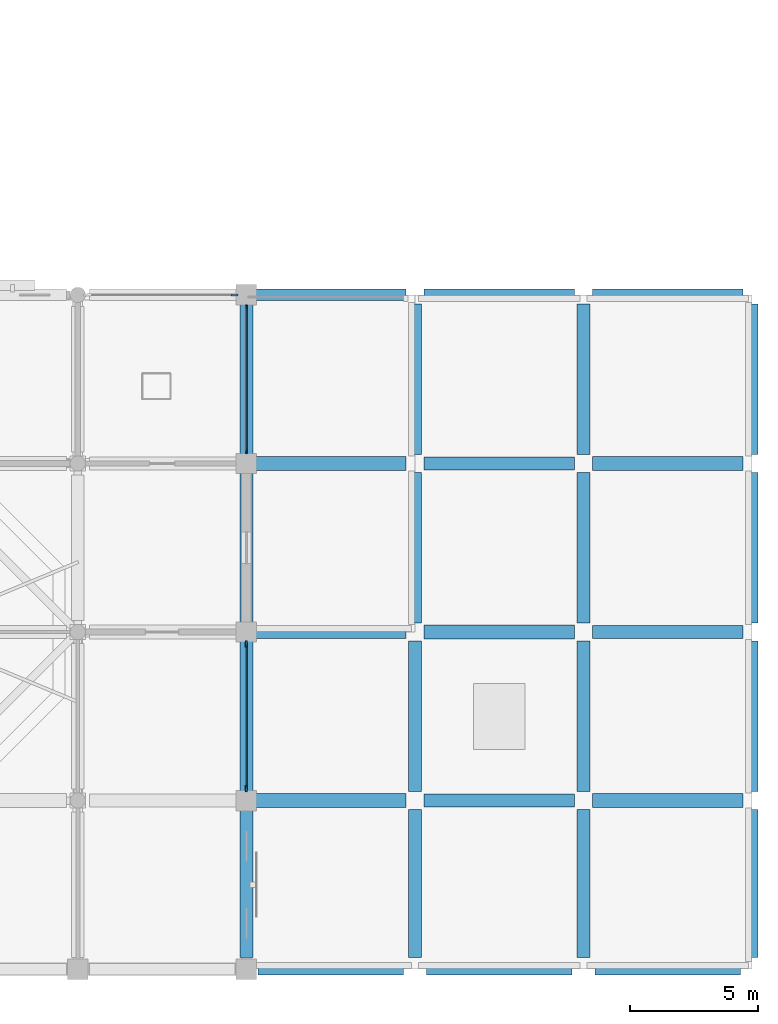
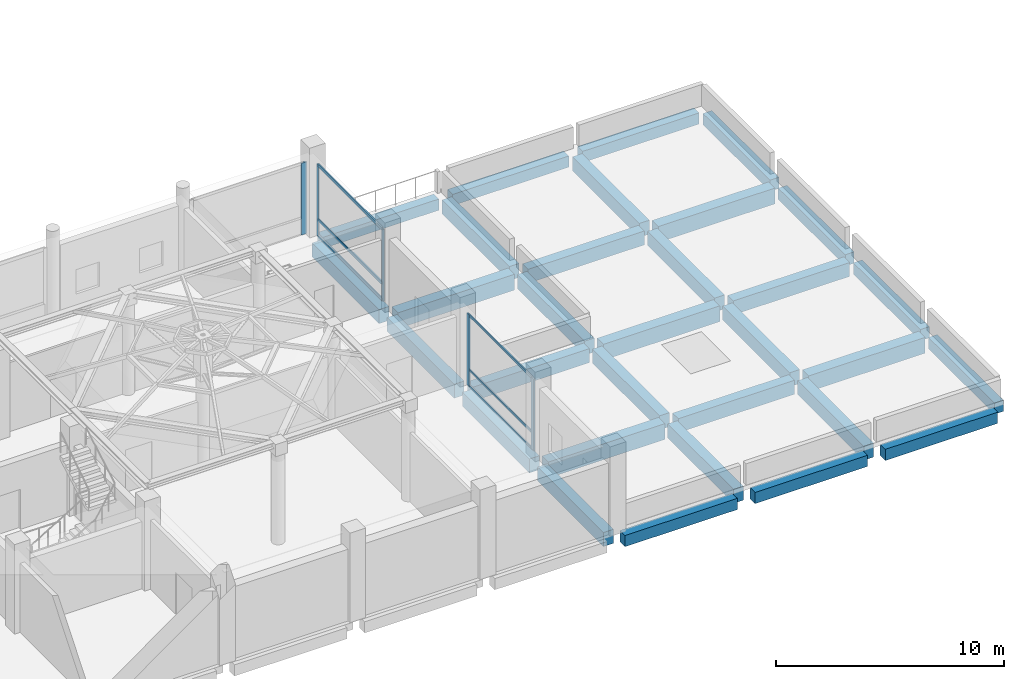
# One storey, part 9 of 34: 31 beams, 11 members, 3 elements without a shape of their own.
"""IFC4 building model written with IfcOpenShell, lengths in metres."""

from ifc_helpers import new_model, si_unit, direction, frame, origin, origin_2d, place, context, subcontext, project, spatial, rectangle, extrude, material, material_profile, profile_set, type_object, element, aggregate, save


model = new_model("IFC4")

# Units and contexts
model_context = context("Model", 3, precision=1e-05, world=origin(), true_north=direction((0.0, 1.0)))
body_context = subcontext(model_context, "Body", "Model", "MODEL_VIEW")
ifc_project = project(units=[si_unit("LENGTHUNIT", "METRE"), si_unit("AREAUNIT", "SQUARE_METRE"), si_unit("VOLUMEUNIT", "CUBIC_METRE"), si_unit("PLANEANGLEUNIT", "RADIAN"), si_unit("MASSUNIT", "GRAM", prefix="KILO")], contexts=[model_context])

# Site, building, storey
site_placement = place(None, origin())
site = spatial("IfcSite", under=ifc_project, at=site_placement, CompositionType="ELEMENT")
building_placement = place(site_placement, origin())
building = spatial("IfcBuilding", under=site, at=building_placement, Name="Rusizi Kubbe Research Institute", CompositionType="ELEMENT")
storey_placement = place(building_placement, frame((0.0, 0.0, 5.39990234375)))
storey = spatial("IfcBuildingStorey", under=building, at=storey_placement, Name="L01", CompositionType="ELEMENT", Elevation=5.39990234375)

# Beams
ifc_material_1 = material(Name="Concrete C40/50", Category="concrete")
ifc_material_profile_1 = material_profile(ifc_material_1, rectangle(XDim=0.449951171875, YDim=0.60009765625, at=origin_2d()), Name="RC450x600")
ifc_profile_set_1 = profile_set([ifc_material_profile_1], Name="Concrete C40/50")
beam_type_1 = type_object("IfcBeamType", Name="BM-RC450x600", PredefinedType="SPANDREL", material=ifc_profile_set_1)
beam_1_placement = place(storey_placement, frame((99.449951171875, 0.0, -0.64990234375), z_axis=(1.0, 0.0, 0.0), x_axis=(0.0, 1.0, 0.0)))
element("IfcBeam", 1, at=beam_1_placement, inside=storey, type_object=beam_type_1, Name="Grid Beam H L01 (15,0)", PredefinedType="SPANDREL", context=body_context, shape_type="SweptSolid", body=[
    extrude(rectangle(XDim=0.449951171875, YDim=0.60009765625, at=origin_2d()), origin(), (0.0, 0.0, 1.0), 5.699951171875),
])
beam_2_placement = place(storey_placement, frame((99.35009765625, 26.39990234375, -0.64990234375), z_axis=(1.0, 0.0, 0.0), x_axis=(0.0, 1.0, 0.0)))
element("IfcBeam", 2, at=beam_2_placement, inside=storey, type_object=beam_type_1, Name="Grid Beam H L01 (15,4)", PredefinedType="SPANDREL", context=body_context, shape_type="SweptSolid", body=[
    extrude(rectangle(XDim=0.449951171875, YDim=0.60009765625, at=origin_2d()), origin(), (0.0, 0.0, 1.0), 5.89990234375),
])
beam_3_placement = place(storey_placement, frame((106.050048828125, 0.0, -0.64990234375), z_axis=(1.0, 0.0, 0.0), x_axis=(0.0, 1.0, 0.0)))
element("IfcBeam", 3, at=beam_3_placement, inside=storey, type_object=beam_type_1, Name="Grid Beam H L01 (16,0)", PredefinedType="SPANDREL", context=body_context, shape_type="SweptSolid", body=[
    extrude(rectangle(XDim=0.449951171875, YDim=0.60009765625, at=origin_2d()), origin(), (0.0, 0.0, 1.0), 5.699951171875),
])
beam_4_placement = place(storey_placement, frame((105.949951171875, 26.39990234375, -0.64990234375), z_axis=(1.0, 0.0, 0.0), x_axis=(0.0, 1.0, 0.0)))
element("IfcBeam", 4, at=beam_4_placement, inside=storey, type_object=beam_type_1, Name="Grid Beam H L01 (16,4)", PredefinedType="SPANDREL", context=body_context, shape_type="SweptSolid", body=[
    extrude(rectangle(XDim=0.449951171875, YDim=0.60009765625, at=origin_2d()), origin(), (0.0, 0.0, 1.0), 5.900146484375),
])
beam_5_placement = place(storey_placement, frame((112.64990234375, 0.0, -0.64990234375), z_axis=(1.0, 0.0, 0.0), x_axis=(0.0, 1.0, 0.0)))
element("IfcBeam", 5, at=beam_5_placement, inside=storey, type_object=beam_type_1, Name="Grid Beam H L01 (17,0)", PredefinedType="SPANDREL", context=body_context, shape_type="SweptSolid", body=[
    extrude(rectangle(XDim=0.449951171875, YDim=0.60009765625, at=origin_2d()), origin(), (0.0, 0.0, 1.0), 5.7001953125),
])
beam_6_placement = place(storey_placement, frame((112.550048828125, 26.39990234375, -0.64990234375), z_axis=(1.0, 0.0, 0.0), x_axis=(0.0, 1.0, 0.0)))
element("IfcBeam", 6, at=beam_6_placement, inside=storey, type_object=beam_type_1, Name="Grid Beam H L01 (17,4)", PredefinedType="SPANDREL", context=body_context, shape_type="SweptSolid", body=[
    extrude(rectangle(XDim=0.449951171875, YDim=0.60009765625, at=origin_2d()), origin(), (0.0, 0.0, 1.0), 5.89990234375),
])
beam_7_placement = place(storey_placement, frame((118.800048828125, 0.449951171875, -0.64990234375), z_axis=(0.0, 1.0, 0.0), x_axis=(-1.0, 0.0, 0.0)))
element("IfcBeam", 7, at=beam_7_placement, inside=storey, type_object=beam_type_1, Name="Grid Beam V L01 (18,0)", PredefinedType="SPANDREL", context=body_context, shape_type="SweptSolid", body=[
    extrude(rectangle(XDim=0.449951171875, YDim=0.60009765625, at=origin_2d()), origin(), (0.0, 0.0, 1.0), 5.800048828125),
])
beam_8_placement = place(storey_placement, frame((118.800048828125, 6.949951171875, -0.64990234375), z_axis=(0.0, 1.0, 0.0), x_axis=(-1.0, 0.0, 0.0)))
element("IfcBeam", 8, at=beam_8_placement, inside=storey, type_object=beam_type_1, Name="Grid Beam V L01 (18,1)", PredefinedType="SPANDREL", context=body_context, shape_type="SweptSolid", body=[
    extrude(rectangle(XDim=0.449951171875, YDim=0.60009765625, at=origin_2d()), origin(), (0.0, 0.0, 1.0), 5.900146484375),
])
beam_9_placement = place(storey_placement, frame((118.800048828125, 13.550048828125, -0.64990234375), z_axis=(0.0, 1.0, 0.0), x_axis=(-1.0, 0.0, 0.0)))
element("IfcBeam", 9, at=beam_9_placement, inside=storey, type_object=beam_type_1, Name="Grid Beam V L01 (18,2)", PredefinedType="SPANDREL", context=body_context, shape_type="SweptSolid", body=[
    extrude(rectangle(XDim=0.449951171875, YDim=0.60009765625, at=origin_2d()), origin(), (0.0, 0.0, 1.0), 5.89990234375),
])
beam_10_placement = place(storey_placement, frame((118.800048828125, 20.14990234375, -0.64990234375), z_axis=(0.0, 1.0, 0.0), x_axis=(-1.0, 0.0, 0.0)))
element("IfcBeam", 10, at=beam_10_placement, inside=storey, type_object=beam_type_1, Name="Grid Beam V L01 (18,3)", PredefinedType="SPANDREL", context=body_context, shape_type="SweptSolid", body=[
    extrude(rectangle(XDim=0.449951171875, YDim=0.60009765625, at=origin_2d()), origin(), (0.0, 0.0, 1.0), 5.900146484375),
])
ifc_material_2 = material(Name="Concrete C45/55", Category="concrete")
ifc_material_profile_2 = material_profile(ifc_material_2, rectangle(XDim=0.5, YDim=0.75, at=origin_2d()), Name="RC500x750B")
ifc_profile_set_2 = profile_set([ifc_material_profile_2], Name="Concrete C45/55")
beam_type_2 = type_object("IfcBeamType", Name="BM-RC500x750", PredefinedType="BEAM", material=ifc_profile_set_2)
beam_11_placement = place(storey_placement, frame((99.35009765625, 13.199951171875, -0.724853515625), z_axis=(1.0, 0.0, 0.0), x_axis=(0.0, 1.0, 0.0)))
element("IfcBeam", 11, at=beam_11_placement, inside=storey, type_object=beam_type_2, Name="Grid Beam H L01 (15,2)", PredefinedType="BEAM", context=body_context, shape_type="SweptSolid", body=[
    extrude(rectangle(XDim=0.5, YDim=0.75, at=origin_2d()), origin(), (0.0, 0.0, 1.0), 5.89990234375),
])
for number, where, z_axis, x_axis, name in (
    (12, (105.949951171875, 6.60009765625, -0.724853515625), (1.0, 0.0, 0.0), (0.0, 1.0, 0.0), "Grid Beam H L01 (16,1)"),
    (13, (105.949951171875, 19.800048828125, -0.724853515625), (1.0, 0.0, 0.0), (0.0, 1.0, 0.0), "Grid Beam H L01 (16,3)"),
):
    element("IfcBeam", number, at=place(storey_placement, frame(where, z_axis=z_axis, x_axis=x_axis)), inside=storey, type_object=beam_type_2, Name=name, PredefinedType="BEAM", context=body_context, shape_type="SweptSolid", body=[
        extrude(rectangle(XDim=0.5, YDim=0.75, at=origin_2d()), origin(), (0.0, 0.0, 1.0), 5.900146484375),
    ])
beam_12_placement = place(storey_placement, frame((112.550048828125, 13.199951171875, -0.724853515625), z_axis=(1.0, 0.0, 0.0), x_axis=(0.0, 1.0, 0.0)))
element("IfcBeam", 14, at=beam_12_placement, inside=storey, type_object=beam_type_2, Name="Grid Beam H L01 (17,2)", PredefinedType="BEAM", context=body_context, shape_type="SweptSolid", body=[
    extrude(rectangle(XDim=0.5, YDim=0.75, at=origin_2d()), origin(), (0.0, 0.0, 1.0), 5.89990234375),
])
beam_13_placement = place(storey_placement, frame((99.0, 0.449951171875, -0.724853515625), z_axis=(0.0, 1.0, 0.0), x_axis=(-1.0, 0.0, 0.0)))
element("IfcBeam", 15, at=beam_13_placement, inside=storey, type_object=beam_type_2, Name="Grid Beam V L01 (15,0)", PredefinedType="BEAM", context=body_context, shape_type="SweptSolid", body=[
    extrude(rectangle(XDim=0.5, YDim=0.75, at=origin_2d()), origin(), (0.0, 0.0, 1.0), 5.800048828125),
])
beam_14_placement = place(storey_placement, frame((99.0, 6.949951171875, -0.724853515625), z_axis=(0.0, 1.0, 0.0), x_axis=(-1.0, 0.0, 0.0)))
element("IfcBeam", 16, at=beam_14_placement, inside=storey, type_object=beam_type_2, Name="Grid Beam V L01 (15,1)", PredefinedType="BEAM", context=body_context, shape_type="SweptSolid", body=[
    extrude(rectangle(XDim=0.5, YDim=0.75, at=origin_2d()), origin(), (0.0, 0.0, 1.0), 5.900146484375),
])
beam_15_placement = place(storey_placement, frame((99.0, 13.550048828125, -0.724853515625), z_axis=(0.0, 1.0, 0.0), x_axis=(-1.0, 0.0, 0.0)))
element("IfcBeam", 17, at=beam_15_placement, inside=storey, type_object=beam_type_2, Name="Grid Beam V L01 (15,2)", PredefinedType="BEAM", context=body_context, shape_type="SweptSolid", body=[
    extrude(rectangle(XDim=0.5, YDim=0.75, at=origin_2d()), origin(), (0.0, 0.0, 1.0), 5.89990234375),
])
beam_16_placement = place(storey_placement, frame((99.0, 20.14990234375, -0.724853515625), z_axis=(0.0, 1.0, 0.0), x_axis=(-1.0, 0.0, 0.0)))
element("IfcBeam", 18, at=beam_16_placement, inside=storey, type_object=beam_type_2, Name="Grid Beam V L01 (15,3)", PredefinedType="BEAM", context=body_context, shape_type="SweptSolid", body=[
    extrude(rectangle(XDim=0.5, YDim=0.75, at=origin_2d()), origin(), (0.0, 0.0, 1.0), 5.900146484375),
])
beam_17_placement = place(storey_placement, frame((105.60009765625, 0.449951171875, -0.724853515625), z_axis=(0.0, 1.0, 0.0), x_axis=(-1.0, 0.0, 0.0)))
element("IfcBeam", 19, at=beam_17_placement, inside=storey, type_object=beam_type_2, Name="Grid Beam V L01 (16,0)", PredefinedType="BEAM", context=body_context, shape_type="SweptSolid", body=[
    extrude(rectangle(XDim=0.5, YDim=0.75, at=origin_2d()), origin(), (0.0, 0.0, 1.0), 5.800048828125),
])
beam_18_placement = place(storey_placement, frame((105.60009765625, 6.949951171875, -0.724853515625), z_axis=(0.0, 1.0, 0.0), x_axis=(-1.0, 0.0, 0.0)))
element("IfcBeam", 20, at=beam_18_placement, inside=storey, type_object=beam_type_2, Name="Grid Beam V L01 (16,1)", PredefinedType="BEAM", context=body_context, shape_type="SweptSolid", body=[
    extrude(rectangle(XDim=0.5, YDim=0.75, at=origin_2d()), origin(), (0.0, 0.0, 1.0), 5.900146484375),
])
beam_19_placement = place(storey_placement, frame((105.60009765625, 13.550048828125, -0.724853515625), z_axis=(0.0, 1.0, 0.0), x_axis=(-1.0, 0.0, 0.0)))
element("IfcBeam", 21, at=beam_19_placement, inside=storey, type_object=beam_type_2, Name="Grid Beam V L01 (16,2)", PredefinedType="BEAM", context=body_context, shape_type="SweptSolid", body=[
    extrude(rectangle(XDim=0.5, YDim=0.75, at=origin_2d()), origin(), (0.0, 0.0, 1.0), 5.89990234375),
])
beam_20_placement = place(storey_placement, frame((105.60009765625, 20.14990234375, -0.724853515625), z_axis=(0.0, 1.0, 0.0), x_axis=(-1.0, 0.0, 0.0)))
element("IfcBeam", 22, at=beam_20_placement, inside=storey, type_object=beam_type_2, Name="Grid Beam V L01 (16,3)", PredefinedType="BEAM", context=body_context, shape_type="SweptSolid", body=[
    extrude(rectangle(XDim=0.5, YDim=0.75, at=origin_2d()), origin(), (0.0, 0.0, 1.0), 5.900146484375),
])
beam_21_placement = place(storey_placement, frame((112.199951171875, 0.449951171875, -0.724853515625), z_axis=(0.0, 1.0, 0.0), x_axis=(-1.0, 0.0, 0.0)))
element("IfcBeam", 23, at=beam_21_placement, inside=storey, type_object=beam_type_2, Name="Grid Beam V L01 (17,0)", PredefinedType="BEAM", context=body_context, shape_type="SweptSolid", body=[
    extrude(rectangle(XDim=0.5, YDim=0.75, at=origin_2d()), origin(), (0.0, 0.0, 1.0), 5.800048828125),
])
beam_22_placement = place(storey_placement, frame((112.199951171875, 6.949951171875, -0.724853515625), z_axis=(0.0, 1.0, 0.0), x_axis=(-1.0, 0.0, 0.0)))
element("IfcBeam", 24, at=beam_22_placement, inside=storey, type_object=beam_type_2, Name="Grid Beam V L01 (17,1)", PredefinedType="BEAM", context=body_context, shape_type="SweptSolid", body=[
    extrude(rectangle(XDim=0.5, YDim=0.75, at=origin_2d()), origin(), (0.0, 0.0, 1.0), 5.900146484375),
])
beam_23_placement = place(storey_placement, frame((112.199951171875, 13.550048828125, -0.724853515625), z_axis=(0.0, 1.0, 0.0), x_axis=(-1.0, 0.0, 0.0)))
element("IfcBeam", 25, at=beam_23_placement, inside=storey, type_object=beam_type_2, Name="Grid Beam V L01 (17,2)", PredefinedType="BEAM", context=body_context, shape_type="SweptSolid", body=[
    extrude(rectangle(XDim=0.5, YDim=0.75, at=origin_2d()), origin(), (0.0, 0.0, 1.0), 5.89990234375),
])
beam_24_placement = place(storey_placement, frame((112.199951171875, 20.14990234375, -0.724853515625), z_axis=(0.0, 1.0, 0.0), x_axis=(-1.0, 0.0, 0.0)))
element("IfcBeam", 26, at=beam_24_placement, inside=storey, type_object=beam_type_2, Name="Grid Beam V L01 (17,3)", PredefinedType="BEAM", context=body_context, shape_type="SweptSolid", body=[
    extrude(rectangle(XDim=0.5, YDim=0.75, at=origin_2d()), origin(), (0.0, 0.0, 1.0), 5.900146484375),
])
ifc_material_3 = material(Name="Concrete C45/55", Category="concrete")
ifc_material_profile_3 = material_profile(ifc_material_3, rectangle(XDim=0.550048828125, YDim=0.85009765625, at=origin_2d()), Name="RC550x850")
ifc_profile_set_3 = profile_set([ifc_material_profile_3], Name="Concrete C45/55")
beam_type_3 = type_object("IfcBeamType", Name="BM-RC550x850", PredefinedType="BEAM", material=ifc_profile_set_3)
for number, where, z_axis, x_axis, name in (
    (27, (99.35009765625, 6.60009765625, -0.77490234375), (1.0, 0.0, 0.0), (0.0, 1.0, 0.0), "Grid Beam H L01 (15,1)"),
    (28, (99.35009765625, 19.800048828125, -0.77490234375), (1.0, 0.0, 0.0), (0.0, 1.0, 0.0), "Grid Beam H L01 (15,3)"),
):
    element("IfcBeam", number, at=place(storey_placement, frame(where, z_axis=z_axis, x_axis=x_axis)), inside=storey, type_object=beam_type_3, Name=name, PredefinedType="BEAM", context=body_context, shape_type="SweptSolid", body=[
        extrude(rectangle(XDim=0.550048828125, YDim=0.85009765625, at=origin_2d()), origin(), (0.0, 0.0, 1.0), 5.89990234375),
    ])
beam_25_placement = place(storey_placement, frame((105.949951171875, 13.199951171875, -0.77490234375), z_axis=(1.0, 0.0, 0.0), x_axis=(0.0, 1.0, 0.0)))
element("IfcBeam", 29, at=beam_25_placement, inside=storey, type_object=beam_type_3, Name="Grid Beam H L01 (16,2)", PredefinedType="BEAM", context=body_context, shape_type="SweptSolid", body=[
    extrude(rectangle(XDim=0.550048828125, YDim=0.85009765625, at=origin_2d()), origin(), (0.0, 0.0, 1.0), 5.900146484375),
])
for number, where, z_axis, x_axis, name in (
    (30, (112.550048828125, 6.60009765625, -0.77490234375), (1.0, 0.0, 0.0), (0.0, 1.0, 0.0), "Grid Beam H L01 (17,1)"),
    (31, (112.550048828125, 19.800048828125, -0.77490234375), (1.0, 0.0, 0.0), (0.0, 1.0, 0.0), "Grid Beam H L01 (17,3)"),
):
    element("IfcBeam", number, at=place(storey_placement, frame(where, z_axis=z_axis, x_axis=x_axis)), inside=storey, type_object=beam_type_3, Name=name, PredefinedType="BEAM", context=body_context, shape_type="SweptSolid", body=[
        extrude(rectangle(XDim=0.550048828125, YDim=0.85009765625, at=origin_2d()), origin(), (0.0, 0.0, 1.0), 5.89990234375),
    ])

# Curtain wall, members
ifc_material_4 = material(Name="Thermally Broken Aluminium and Low-E Glazing", Category="aluminium")
curtain_wall_type = type_object("IfcCurtainWallType", Name="CW-18", PredefinedType="NOTDEFINED", material=ifc_material_4)
curtain_wall_1_placement = place(storey_placement, origin())
curtain_wall_1 = element("IfcCurtainWall", 32, at=curtain_wall_1_placement, inside=storey, type_object=curtain_wall_type, Name="Unitised Facade Curtain Wall CW-L01-V-15-03", PredefinedType="NOTDEFINED")
ifc_material_5 = material(Name="Aluminium Alloy 6063-T6", Category="aluminium")
ifc_material_profile_4 = material_profile(ifc_material_5, rectangle(XDim=0.06005859375, YDim=0.14990234375, at=origin_2d()), Name="ALU-M 60x150")
ifc_profile_set_4 = profile_set([ifc_material_profile_4], Name="Aluminium Alloy 6063-T6")
member_type_1 = type_object("IfcMemberType", Name="ML-01", PredefinedType="MULLION", material=ifc_profile_set_4)
member_1_placement = place(storey_placement, frame((99.0, 20.260009765625, 0.0), z_axis=(0.0, 0.0, 1.0), x_axis=(-1.0, 0.0, 0.0)))
member_1 = element("IfcMember", 33, at=member_1_placement, type_object=member_type_1, Name="CW-18 mullion 1", PredefinedType="MULLION", context=body_context, shape_type="SweptSolid", body=[
    extrude(rectangle(XDim=0.06005859375, YDim=0.14990234375, at=origin_2d()), origin(), (0.0, 0.0, 1.0), 3.85009765625),
])
member_2_placement = place(storey_placement, frame((99.0, 25.93994140625, 0.0), z_axis=(0.0, 0.0, 1.0), x_axis=(-1.0, 0.0, 0.0)))
member_2 = element("IfcMember", 34, at=member_2_placement, type_object=member_type_1, Name="CW-18 mullion 2", PredefinedType="MULLION", context=body_context, shape_type="SweptSolid", body=[
    extrude(rectangle(XDim=0.06005859375, YDim=0.14990234375, at=origin_2d()), origin(), (0.0, 0.0, 1.0), 3.85009765625),
])

curtain_wall_2_placement = place(storey_placement, origin())
curtain_wall_2 = element("IfcCurtainWall", 35, at=curtain_wall_2_placement, inside=storey, type_object=curtain_wall_type, Name="Unitised Facade Curtain Wall CW-L01-V-15-01", PredefinedType="NOTDEFINED")
ifc_material_6 = material(Name="Aluminium Alloy 6063-T6", Category="aluminium")
ifc_material_profile_5 = material_profile(ifc_material_6, rectangle(XDim=0.074951171875, YDim=0.25, at=origin_2d()), Name="ALU-M 75x250")
ifc_profile_set_5 = profile_set([ifc_material_profile_5], Name="Aluminium Alloy 6063-T6")
member_type_2 = type_object("IfcMemberType", Name="ML-05", PredefinedType="MULLION", material=ifc_profile_set_5)
member_3_placement = place(storey_placement, frame((99.0, 7.0673828125, 0.0), z_axis=(0.0, 0.0, 1.0), x_axis=(-1.0, 0.0, 0.0)))
member_3 = element("IfcMember", 36, at=member_3_placement, type_object=member_type_2, Name="CW-18 mullion 1", PredefinedType="MULLION", context=body_context, shape_type="SweptSolid", body=[
    extrude(rectangle(XDim=0.074951171875, YDim=0.25, at=origin_2d()), origin(), (0.0, 0.0, 1.0), 3.85009765625),
])
member_4_placement = place(storey_placement, frame((99.0, 12.732421875, 0.0), z_axis=(0.0, 0.0, 1.0), x_axis=(-1.0, 0.0, 0.0)))
member_4 = element("IfcMember", 37, at=member_4_placement, type_object=member_type_2, Name="CW-18 mullion 2", PredefinedType="MULLION", context=body_context, shape_type="SweptSolid", body=[
    extrude(rectangle(XDim=0.074951171875, YDim=0.25, at=origin_2d()), origin(), (0.0, 0.0, 1.0), 3.85009765625),
])

# Curtain wall, member
curtain_wall_3_placement = place(storey_placement, origin())
curtain_wall_3 = element("IfcCurtainWall", 38, at=curtain_wall_3_placement, inside=storey, type_object=curtain_wall_type, Name="Unitised Facade Curtain Wall CW-L01-H-14-04", PredefinedType="NOTDEFINED")
ifc_material_7 = material(Name="Aluminium Alloy 6063-T6", Category="aluminium")
ifc_material_profile_6 = material_profile(ifc_material_7, rectangle(XDim=0.080078125, YDim=0.280029296875, at=origin_2d()), Name="ALU-M 80x280")
ifc_profile_set_6 = profile_set([ifc_material_profile_6], Name="Aluminium Alloy 6063-T6")
member_type_3 = type_object("IfcMemberType", Name="ML-06", PredefinedType="MULLION", material=ifc_profile_set_6)
member_5_placement = place(storey_placement, frame((98.530029296875, 26.39990234375, 0.0), z_axis=(0.0, 0.0, 1.0), x_axis=(0.0, 1.0, 0.0)))
member_5 = element("IfcMember", 39, at=member_5_placement, type_object=member_type_3, Name="CW-18 mullion 2", PredefinedType="MULLION", context=body_context, shape_type="SweptSolid", body=[
    extrude(rectangle(XDim=0.080078125, YDim=0.280029296875, at=origin_2d()), origin(), (0.0, 0.0, 1.0), 3.85009765625),
])
aggregate(curtain_wall_3, [member_5])

# Member
ifc_material_8 = material(Name="Aluminium Alloy 6063-T6", Category="aluminium")
ifc_material_profile_7 = material_profile(ifc_material_8, rectangle(XDim=0.06005859375, YDim=0.1201171875, at=origin_2d()), Name="ALU-T 60x120")
ifc_profile_set_7 = profile_set([ifc_material_profile_7], Name="Aluminium Alloy 6063-T6")
member_type_4 = type_object("IfcMemberType", Name="TR-01", PredefinedType="USERDEFINED", material=ifc_profile_set_7)
member_6_placement = place(storey_placement, frame((99.0, 7.10498046875, 0.030029296875), z_axis=(0.0, 1.0, 0.0), x_axis=(-1.0, 0.0, 0.0)))
member_6 = element("IfcMember", 40, at=member_6_placement, type_object=member_type_4, Name="CW-18 transom 1.1", ObjectType="TRANSOM", PredefinedType="USERDEFINED", context=body_context, shape_type="SweptSolid", body=[
    extrude(rectangle(XDim=0.06005859375, YDim=0.1201171875, at=origin_2d()), origin(), (0.0, 0.0, 1.0), 5.590087890625),
])

member_7_placement = place(storey_placement, frame((99.0, 7.10498046875, 0.900146484375), z_axis=(0.0, 1.0, 0.0), x_axis=(-1.0, 0.0, 0.0)))
member_7 = element("IfcMember", 41, at=member_7_placement, type_object=member_type_4, Name="CW-18 transom 1.2", ObjectType="TRANSOM", PredefinedType="USERDEFINED", context=body_context, shape_type="SweptSolid", body=[
    extrude(rectangle(XDim=0.06005859375, YDim=0.1201171875, at=origin_2d()), origin(), (0.0, 0.0, 1.0), 5.590087890625),
])

member_8_placement = place(storey_placement, frame((99.0, 7.10498046875, 3.820068359375), z_axis=(0.0, 1.0, 0.0), x_axis=(-1.0, 0.0, 0.0)))
member_8 = element("IfcMember", 42, at=member_8_placement, type_object=member_type_4, Name="CW-18 transom 1.3", ObjectType="TRANSOM", PredefinedType="USERDEFINED", context=body_context, shape_type="SweptSolid", body=[
    extrude(rectangle(XDim=0.06005859375, YDim=0.1201171875, at=origin_2d()), origin(), (0.0, 0.0, 1.0), 5.590087890625),
])

aggregate(curtain_wall_2, [member_3, member_4, member_6, member_7, member_8])

ifc_material_9 = material(Name="Aluminium Alloy 6063-T6", Category="aluminium")
ifc_material_profile_8 = material_profile(ifc_material_9, rectangle(XDim=0.06494140625, YDim=0.159912109375, at=origin_2d()), Name="ALU-T 65x160")
ifc_profile_set_8 = profile_set([ifc_material_profile_8], Name="Aluminium Alloy 6063-T6")
member_type_5 = type_object("IfcMemberType", Name="TR-03", PredefinedType="USERDEFINED", material=ifc_profile_set_8)
member_9_placement = place(storey_placement, frame((99.0, 20.2900390625, 0.03271484375), z_axis=(0.0, 1.0, 0.0), x_axis=(-1.0, 0.0, 0.0)))
member_9 = element("IfcMember", 43, at=member_9_placement, type_object=member_type_5, Name="CW-18 transom 1.1", ObjectType="TRANSOM", PredefinedType="USERDEFINED", context=body_context, shape_type="SweptSolid", body=[
    extrude(rectangle(XDim=0.06494140625, YDim=0.159912109375, at=origin_2d()), origin(), (0.0, 0.0, 1.0), 5.619873046875),
])

member_10_placement = place(storey_placement, frame((99.0, 20.2900390625, 0.900146484375), z_axis=(0.0, 1.0, 0.0), x_axis=(-1.0, 0.0, 0.0)))
member_10 = element("IfcMember", 44, at=member_10_placement, type_object=member_type_5, Name="CW-18 transom 1.2", ObjectType="TRANSOM", PredefinedType="USERDEFINED", context=body_context, shape_type="SweptSolid", body=[
    extrude(rectangle(XDim=0.06494140625, YDim=0.159912109375, at=origin_2d()), origin(), (0.0, 0.0, 1.0), 5.619873046875),
])

member_11_placement = place(storey_placement, frame((99.0, 20.2900390625, 3.817626953125), z_axis=(0.0, 1.0, 0.0), x_axis=(-1.0, 0.0, 0.0)))
member_11 = element("IfcMember", 45, at=member_11_placement, type_object=member_type_5, Name="CW-18 transom 1.3", ObjectType="TRANSOM", PredefinedType="USERDEFINED", context=body_context, shape_type="SweptSolid", body=[
    extrude(rectangle(XDim=0.06494140625, YDim=0.159912109375, at=origin_2d()), origin(), (0.0, 0.0, 1.0), 5.619873046875),
])

aggregate(curtain_wall_1, [member_1, member_2, member_9, member_10, member_11])

save(model, "model.ifc")
